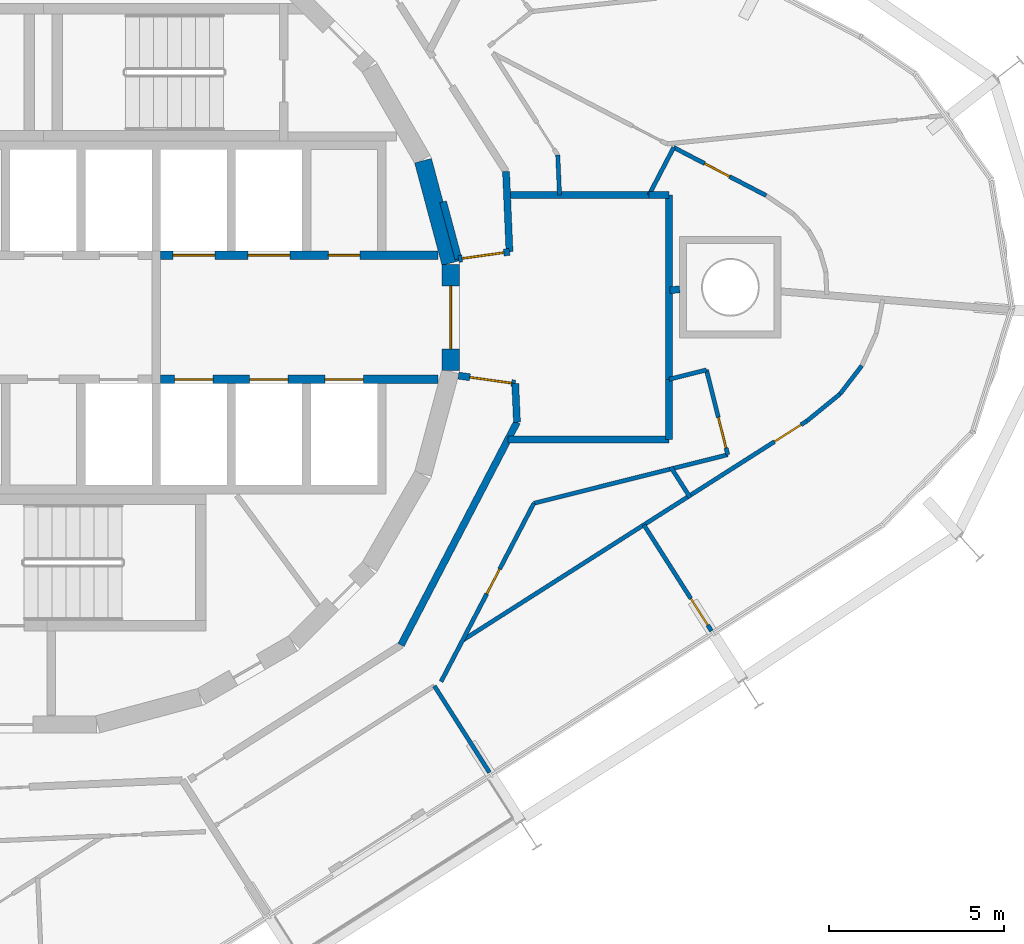
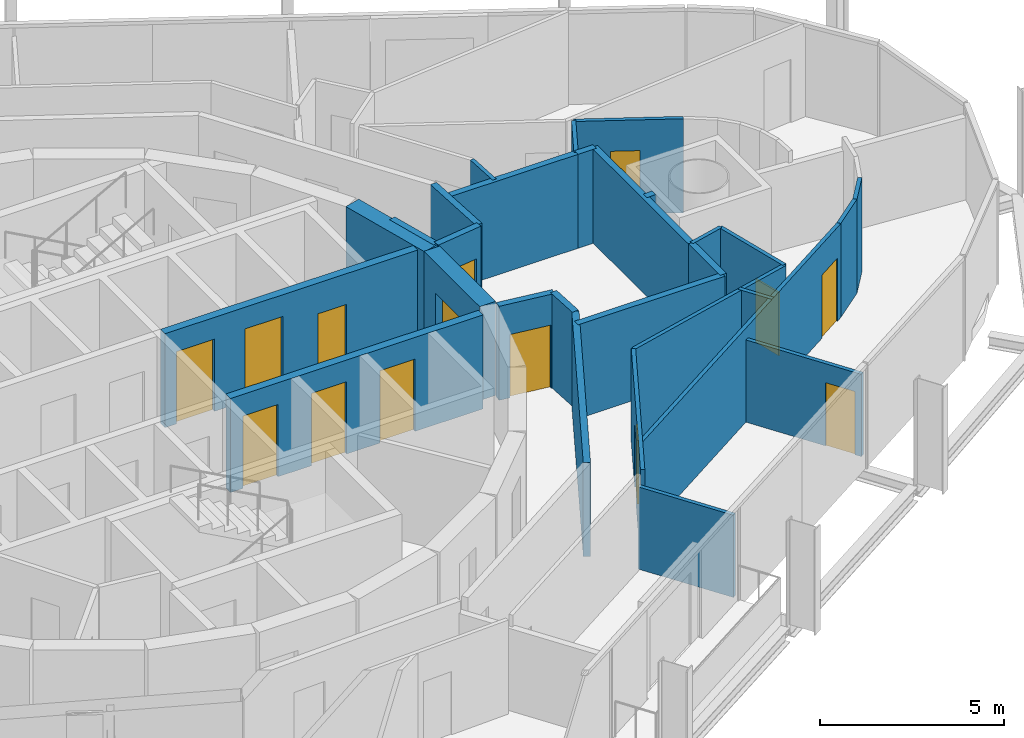
# One storey, part 14 of 18: 29 walls, 14 doors, 14 openings.
"""IFC4 building model written with IfcOpenShell, lengths in metres."""

from ifc_helpers import new_model, si_unit, direction, frame, frame_2d, origin, place, context, subcontext, project, spatial, rectangle, extrude, material, layer, layer_set, type_object, element, fill, save


model = new_model("IFC4")

# Units and contexts
model_context = context("Model", 3, precision=1e-05, world=origin(), true_north=direction((0.0, 1.0)))
body_context = subcontext(model_context, "Body", "Model", "MODEL_VIEW")
ifc_project = project(units=[si_unit("LENGTHUNIT", "METRE"), si_unit("AREAUNIT", "SQUARE_METRE"), si_unit("VOLUMEUNIT", "CUBIC_METRE"), si_unit("PLANEANGLEUNIT", "RADIAN"), si_unit("MASSUNIT", "GRAM", prefix="KILO")], contexts=[model_context])

# Site, building, storey
site_placement = place(None, origin())
site = spatial("IfcSite", under=ifc_project, at=site_placement, CompositionType="ELEMENT")
building_placement = place(site_placement, origin())
building = spatial("IfcBuilding", under=site, at=building_placement, Name="Spindle Arch Residences", CompositionType="ELEMENT")
storey_placement = place(building_placement, frame((0.0, 0.0, 251.199951171875)))
storey = spatial("IfcBuildingStorey", under=building, at=storey_placement, Name="L64", CompositionType="ELEMENT", Elevation=251.199951171875)

# Wall, opening, door
ifc_material_1 = material(Name="Concrete C50/60", Category="concrete")
ifc_layer_1 = layer(ifc_material_1, 0.5)
ifc_layer_set_1 = layer_set([ifc_layer_1], Name="Core outline wall 500")
wall_type_1 = type_object("IfcWallType", Name="Core outline wall 500", PredefinedType="SHEAR", material=ifc_layer_set_1)
wall_1_placement = place(storey_placement, frame((11.647216796875, -1.516357421875, 0.0), z_axis=(0.0, 0.0, 1.0), x_axis=(0.0, 1.0, 0.0)))
wall_1 = element("IfcWall", 1, at=wall_1_placement, inside=storey, type_object=wall_type_1, Name="Core outline wall 6", PredefinedType="SHEAR", context=body_context, shape_type="SweptSolid", body=[
    extrude(rectangle(XDim=3.03271484375, YDim=0.5, at=frame_2d((1.516357421875, 0.0))), origin(), (0.0, 0.0, 1.0), 3.1201171875),
])
opening_1_placement = place(wall_1_placement, frame((0.6162109375, 0.0, 0.0)))
opening_1 = element("IfcOpeningElement", 2, at=opening_1_placement, cuts=wall_1, Name="Opening R6C1-FE01", PredefinedType="OPENING", context=body_context, shape_type="SweptSolid", body=[
    extrude(rectangle(XDim=1.800048828125, YDim=2.10009765625, at=frame_2d((0.89990234375, 1.050048828125))), frame((0.0, 0.260009765625, 0.0), z_axis=(0.0, -1.0, 0.0), x_axis=(1.0, 0.0, 0.0)), (0.0, 0.0, 1.0), 0.52001953125),
])
ifc_material_2 = material(Name="Steel, fire-resisting door", Category="steel")
door_type_1 = type_object("IfcDoorType", Name="Fire-lift lobby door 1800x2100", OperationType="DOUBLE_DOOR_SINGLE_SWING", PredefinedType="DOOR", material=ifc_material_2)
door_1_placement = place(opening_1_placement, origin())
door_1 = element("IfcDoor", 3, at=door_1_placement, inside=storey, type_object=door_type_1, Name="Fire-lift lobby door R6C1-FE01", OperationType="DOUBLE_DOOR_SINGLE_SWING", OverallHeight=2.10009765625, OverallWidth=1.800048828125, PredefinedType="DOOR", context=body_context, shape_type="SweptSolid", body=[
    extrude(rectangle(XDim=1.800048828125, YDim=2.10009765625, at=frame_2d((0.89990234375, 1.050048828125))), frame((0.0, 0.02490234375, 0.0), z_axis=(0.0, -1.0, 0.0), x_axis=(1.0, 0.0, 0.0)), (0.0, 0.0, 1.0), 0.050048828125),
])
fill(opening_1, door_1)

# Walls
wall_2_placement = place(storey_placement, frame((11.642822265625, 1.5498046875, 0.0), z_axis=(0.0, 0.0, 1.0), x_axis=(-0.258734743916, 0.965948410781, 0.0)))
element("IfcWall", 4, at=wall_2_placement, inside=storey, type_object=wall_type_1, Name="Core outline wall 7", PredefinedType="SHEAR", context=body_context, shape_type="SweptSolid", body=[
    extrude(rectangle(XDim=3.03271484375, YDim=0.5, at=frame_2d((1.516357421875, 0.0))), origin(), (0.0, 0.0, 1.0), 3.1201171875),
])
ifc_material_3 = material(Name="Calcium silicate block, plastered")
ifc_layer_2 = layer(ifc_material_3, 0.199951171875)
ifc_layer_set_2 = layer_set([ifc_layer_2], Name="Fire-lift lobby bay wall 200")
wall_type_2 = type_object("IfcWallType", Name="Fire-lift lobby bay wall 200", PredefinedType="STANDARD", material=ifc_layer_set_2)
wall_3_placement = place(storey_placement, frame((11.8701171875, 1.668212890625, 0.0), z_axis=(0.0, 0.0, 1.0), x_axis=(-0.258836880648, 0.965921047093, 0.0)))
element("IfcWall", 5, at=wall_3_placement, inside=storey, type_object=wall_type_2, Name="Fire-lift lobby bay wall R6C1-W001", PredefinedType="STANDARD", context=body_context, shape_type="SweptSolid", body=[
    extrude(rectangle(XDim=1.695068359375, YDim=0.199951171875, at=frame_2d((0.84765625, 0.0))), origin(), (0.0, 0.0, 1.0), 3.1201171875),
])

# Wall, opening, door
wall_4_placement = place(storey_placement, frame((11.8701171875, 1.668212890625, 0.0), z_axis=(0.0, 0.0, 1.0), x_axis=(0.990267985606, 0.139173692496, 0.0)))
wall_4 = element("IfcWall", 6, at=wall_4_placement, inside=storey, type_object=wall_type_2, Name="Fire-lift lobby bay wall R6C1-W002", PredefinedType="STANDARD", context=body_context, shape_type="SweptSolid", body=[
    extrude(rectangle(XDim=1.475341796875, YDim=0.199951171875, at=frame_2d((0.73779296875, 0.0))), origin(), (0.0, 0.0, 1.0), 3.1201171875),
])
opening_2_placement = place(wall_4_placement, frame((0.110107421875, 0.0, 0.0)))
opening_2 = element("IfcOpeningElement", 7, at=opening_2_placement, cuts=wall_4, Name="Opening R6C1-CD01", PredefinedType="OPENING", context=body_context, shape_type="SweptSolid", body=[
    extrude(rectangle(XDim=1.199951171875, YDim=2.10009765625, at=frame_2d((0.60009765625, 1.050048828125))), frame((0.0, 0.10986328125, 0.0), z_axis=(0.0, -1.0, 0.0), x_axis=(1.0, 0.0, 0.0)), (0.0, 0.0, 1.0), 0.219970703125),
])
ifc_material_4 = material(Name="Steel, fire-resisting door", Category="steel")
door_type_2 = type_object("IfcDoorType", Name="Corridor division door 1200x2100", OperationType="NOTDEFINED", PredefinedType="DOOR", material=ifc_material_4)
door_2_placement = place(opening_2_placement, origin())
door_2 = element("IfcDoor", 8, at=door_2_placement, inside=storey, type_object=door_type_2, Name="Corridor division door R6C1-CD01", OperationType="DOUBLE_DOOR_SINGLE_SWING", OverallHeight=2.10009765625, OverallWidth=1.199951171875, PredefinedType="DOOR", context=body_context, shape_type="SweptSolid", body=[
    extrude(rectangle(XDim=1.199951171875, YDim=2.10009765625, at=frame_2d((0.60009765625, 1.050048828125))), frame((0.0, 0.02490234375, 0.0), z_axis=(0.0, -1.0, 0.0), x_axis=(1.0, 0.0, 0.0)), (0.0, 0.0, 1.0), 0.050048828125),
])
fill(opening_2, door_2)

# Walls
wall_5_placement = place(storey_placement, frame((13.3310546875, 1.87353515625, 0.0), z_axis=(0.0, 0.0, 1.0), x_axis=(-0.043621457762, 0.999048131184, 0.0)))
element("IfcWall", 9, at=wall_5_placement, inside=storey, type_object=wall_type_2, Name="Fire-lift lobby bay wall R6C1-W003", PredefinedType="STANDARD", context=body_context, shape_type="SweptSolid", body=[
    extrude(rectangle(XDim=2.30029296875, YDim=0.199951171875, at=frame_2d((1.150146484375, 0.0))), origin(), (0.0, 0.0, 1.0), 3.1201171875),
])
wall_6_placement = place(storey_placement, frame((10.22802734375, -9.372314453125, 0.0), z_axis=(0.0, 0.0, 1.0), x_axis=(0.461759464021, 0.887005184532, 0.0)))
element("IfcWall", 10, at=wall_6_placement, inside=storey, type_object=wall_type_2, Name="Fire-lift lobby bay wall R6C1-W013", PredefinedType="STANDARD", context=body_context, shape_type="SweptSolid", body=[
    extrude(rectangle(XDim=7.18115234375, YDim=0.199951171875, at=frame_2d((3.590576171875, 0.0))), origin(), (0.0, 0.0, 1.0), 3.1201171875),
])
wall_7_placement = place(storey_placement, frame((13.5439453125, -3.002685546875, 0.0), z_axis=(0.0, 0.0, 1.0), x_axis=(-0.043666917606, 0.999046145234, 0.0)))
element("IfcWall", 11, at=wall_7_placement, inside=storey, type_object=wall_type_2, Name="Fire-lift lobby bay wall R6C1-W014", PredefinedType="STANDARD", context=body_context, shape_type="SweptSolid", body=[
    extrude(rectangle(XDim=1.10693359375, YDim=0.199951171875, at=frame_2d((0.553466796875, 0.0))), origin(), (0.0, 0.0, 1.0), 3.1201171875),
])

# Wall, opening, door
wall_8_placement = place(storey_placement, frame((13.49560546875, -1.896728515625, 0.0), z_axis=(0.0, 0.0, 1.0), x_axis=(-0.99026234641, 0.139213811391, 0.0)))
wall_8 = element("IfcWall", 12, at=wall_8_placement, inside=storey, type_object=wall_type_2, Name="Fire-lift lobby bay wall R6C1-W015", PredefinedType="STANDARD", context=body_context, shape_type="SweptSolid", body=[
    extrude(rectangle(XDim=1.641357421875, YDim=0.199951171875, at=frame_2d((0.82080078125, 0.0))), origin(), (0.0, 0.0, 1.0), 3.1201171875),
])
opening_3_placement = place(wall_8_placement, frame((0.110107421875, 0.0, 0.0)))
opening_3 = element("IfcOpeningElement", 13, at=opening_3_placement, cuts=wall_8, Name="Opening R6C1-CD02", PredefinedType="OPENING", context=body_context, shape_type="SweptSolid", body=[
    extrude(rectangle(XDim=1.199951171875, YDim=2.10009765625, at=frame_2d((0.60009765625, 1.050048828125))), frame((0.0, 0.10986328125, 0.0), z_axis=(0.0, -1.0, 0.0), x_axis=(1.0, 0.0, 0.0)), (0.0, 0.0, 1.0), 0.219970703125),
])
door_3_placement = place(opening_3_placement, origin())
door_3 = element("IfcDoor", 14, at=door_3_placement, inside=storey, type_object=door_type_2, Name="Corridor division door R6C1-CD02", OperationType="DOUBLE_DOOR_SINGLE_SWING", OverallHeight=2.10009765625, OverallWidth=1.199951171875, PredefinedType="DOOR", context=body_context, shape_type="SweptSolid", body=[
    extrude(rectangle(XDim=1.199951171875, YDim=2.10009765625, at=frame_2d((0.60009765625, 1.050048828125))), frame((0.0, 0.02490234375, 0.0), z_axis=(0.0, -1.0, 0.0), x_axis=(1.0, 0.0, 0.0)), (0.0, 0.0, 1.0), 0.050048828125),
])
fill(opening_3, door_3)

# Walls
wall_9_placement = place(storey_placement, frame((17.32080078125, 3.5, 0.0), z_axis=(0.0, 0.0, 1.0), x_axis=(-1.0, 0.0, 0.0)))
element("IfcWall", 15, at=wall_9_placement, inside=storey, type_object=wall_type_2, Name="Fire-lift lobby bay wall R6C1-W024", PredefinedType="STANDARD", context=body_context, shape_type="SweptSolid", body=[
    extrude(rectangle(XDim=4.060791015625, YDim=0.199951171875, at=frame_2d((2.0302734375, 0.0))), origin(), (0.0, 0.0, 1.0), 3.1201171875),
])
wall_10_placement = place(storey_placement, frame((17.89990234375, -1.77197265625, 0.0), z_axis=(0.0, 0.0, 1.0), x_axis=(0.0, 1.0, 0.0)))
element("IfcWall", 16, at=wall_10_placement, inside=storey, type_object=wall_type_2, Name="Fire-lift lobby bay wall R6C1-W025", PredefinedType="STANDARD", context=body_context, shape_type="SweptSolid", body=[
    extrude(rectangle(XDim=5.27197265625, YDim=0.199951171875, at=frame_2d((2.635986328125, 0.0))), origin(), (0.0, 0.0, 1.0), 3.1201171875),
])
wall_11_placement = place(storey_placement, frame((17.89990234375, 3.5, 0.0), z_axis=(0.0, 0.0, 1.0), x_axis=(-1.0, 0.0, 0.0)))
element("IfcWall", 17, at=wall_11_placement, inside=storey, type_object=wall_type_2, Name="Fire-lift lobby bay wall R6C1-W026", PredefinedType="STANDARD", context=body_context, shape_type="SweptSolid", body=[
    extrude(rectangle(XDim=0.5791015625, YDim=0.199951171875, at=frame_2d((0.28955078125, 0.0))), origin(), (0.0, 0.0, 1.0), 3.1201171875),
])
wall_12_placement = place(storey_placement, frame((13.284912109375, -3.5, 0.0), z_axis=(0.0, 0.0, 1.0), x_axis=(1.0, 0.0, 0.0)))
element("IfcWall", 18, at=wall_12_placement, inside=storey, type_object=wall_type_2, Name="Fire-lift lobby bay wall R6C1-W027", PredefinedType="STANDARD", context=body_context, shape_type="SweptSolid", body=[
    extrude(rectangle(XDim=4.614990234375, YDim=0.199951171875, at=frame_2d((2.3076171875, 0.0))), origin(), (0.0, 0.0, 1.0), 3.1201171875),
])
wall_13_placement = place(storey_placement, frame((17.89990234375, -3.5, 0.0), z_axis=(0.0, 0.0, 1.0), x_axis=(0.0, 1.0, 0.0)))
element("IfcWall", 19, at=wall_13_placement, inside=storey, type_object=wall_type_2, Name="Fire-lift lobby bay wall R6C1-W028", PredefinedType="STANDARD", context=body_context, shape_type="SweptSolid", body=[
    extrude(rectangle(XDim=1.72802734375, YDim=0.199951171875, at=frame_2d((0.864013671875, 0.0))), origin(), (0.0, 0.0, 1.0), 3.1201171875),
])

# Wall, openings, doors
ifc_material_5 = material(Name="Concrete C40/50", Category="concrete")
ifc_layer_3 = layer(ifc_material_5, 0.25)
ifc_layer_set_3 = layer_set([ifc_layer_3], Name="Fire-lift lobby wall 250")
wall_type_3 = type_object("IfcWallType", Name="Fire-lift lobby wall 250", PredefinedType="SHEAR", material=ifc_layer_set_3)
wall_14_placement = place(storey_placement, frame((3.35009765625, 1.77490234375, 0.0), z_axis=(0.0, 0.0, 1.0), x_axis=(1.0, 0.0, 0.0)))
wall_14 = element("IfcWall", 20, at=wall_14_placement, inside=storey, type_object=wall_type_3, Name="Lift shaft front wall NE", PredefinedType="SHEAR", context=body_context, shape_type="SweptSolid", body=[
    extrude(rectangle(XDim=7.929931640625, YDim=0.25, at=frame_2d((3.96484375, 0.0))), origin(), (0.0, 0.0, 1.0), 3.1201171875),
])
opening_4_placement = place(wall_14_placement, frame((0.35009765625, 0.0, 0.0)))
opening_4 = element("IfcOpeningElement", 21, at=opening_4_placement, cuts=wall_14, Name="Opening R6C1-SLD01", PredefinedType="OPENING", context=body_context, shape_type="SweptSolid", body=[
    extrude(rectangle(XDim=1.199951171875, YDim=2.39990234375, at=frame_2d((0.60009765625, 1.199951171875))), frame((0.0, 0.135009765625, 0.0), z_axis=(0.0, -1.0, 0.0), x_axis=(1.0, 0.0, 0.0)), (0.0, 0.0, 1.0), 0.27001953125),
])
opening_5_placement = place(wall_14_placement, frame((2.5, 0.0, 0.0)))
opening_5 = element("IfcOpeningElement", 22, at=opening_5_placement, cuts=wall_14, Name="Opening R6C1-SLD02", PredefinedType="OPENING", context=body_context, shape_type="SweptSolid", body=[
    extrude(rectangle(XDim=1.199951171875, YDim=2.39990234375, at=frame_2d((0.60009765625, 1.199951171875))), frame((0.0, 0.135009765625, 0.0), z_axis=(0.0, -1.0, 0.0), x_axis=(1.0, 0.0, 0.0)), (0.0, 0.0, 1.0), 0.27001953125),
])
opening_6_placement = place(wall_14_placement, frame((4.800048828125, 0.0, 0.0)))
opening_6 = element("IfcOpeningElement", 23, at=opening_6_placement, cuts=wall_14, Name="Opening R6C1-WD02", PredefinedType="OPENING", context=body_context, shape_type="SweptSolid", body=[
    extrude(rectangle(XDim=0.89990234375, YDim=2.10009765625, at=frame_2d((0.449951171875, 1.050048828125))), frame((0.0, 0.135009765625, 0.0), z_axis=(0.0, -1.0, 0.0), x_axis=(1.0, 0.0, 0.0)), (0.0, 0.0, 1.0), 0.27001953125),
])
ifc_material_6 = material(Name="Steel, fire-resisting landing door", Category="steel")
door_type_3 = type_object("IfcDoorType", Name="Service lift landing door 1200x2400", OperationType="DOUBLE_DOOR_SLIDING", PredefinedType="DOOR", material=ifc_material_6)
door_4_placement = place(opening_4_placement, origin())
door_4 = element("IfcDoor", 24, at=door_4_placement, inside=storey, type_object=door_type_3, Name="Service lift landing door R6C1-SLD01", OperationType="DOUBLE_DOOR_SLIDING", OverallHeight=2.39990234375, OverallWidth=1.199951171875, PredefinedType="DOOR", context=body_context, shape_type="SweptSolid", body=[
    extrude(rectangle(XDim=1.199951171875, YDim=2.39990234375, at=frame_2d((0.60009765625, 1.199951171875))), frame((0.0, 0.02490234375, 0.0), z_axis=(0.0, -1.0, 0.0), x_axis=(1.0, 0.0, 0.0)), (0.0, 0.0, 1.0), 0.050048828125),
])
fill(opening_4, door_4)
door_5_placement = place(opening_5_placement, origin())
door_5 = element("IfcDoor", 25, at=door_5_placement, inside=storey, type_object=door_type_3, Name="Service lift landing door R6C1-SLD02", OperationType="DOUBLE_DOOR_SLIDING", OverallHeight=2.39990234375, OverallWidth=1.199951171875, PredefinedType="DOOR", context=body_context, shape_type="SweptSolid", body=[
    extrude(rectangle(XDim=1.199951171875, YDim=2.39990234375, at=frame_2d((0.60009765625, 1.199951171875))), frame((0.0, 0.02490234375, 0.0), z_axis=(0.0, -1.0, 0.0), x_axis=(1.0, 0.0, 0.0)), (0.0, 0.0, 1.0), 0.050048828125),
])
fill(opening_5, door_5)
ifc_material_7 = material(Name="Steel, fire-resisting door", Category="steel")
door_type_4 = type_object("IfcDoorType", Name="Service room door 900x2100", OperationType="SINGLE_SWING_LEFT", PredefinedType="DOOR", material=ifc_material_7)
door_6_placement = place(opening_6_placement, origin())
door_6 = element("IfcDoor", 26, at=door_6_placement, inside=storey, type_object=door_type_4, Name="Service room door R6C1-WD02", OperationType="SINGLE_SWING_RIGHT", OverallHeight=2.10009765625, OverallWidth=0.89990234375, PredefinedType="DOOR", context=body_context, shape_type="SweptSolid", body=[
    extrude(rectangle(XDim=0.89990234375, YDim=2.10009765625, at=frame_2d((0.449951171875, 1.050048828125))), frame((0.0, 0.02490234375, 0.0), z_axis=(0.0, -1.0, 0.0), x_axis=(1.0, 0.0, 0.0)), (0.0, 0.0, 1.0), 0.050048828125),
])
fill(opening_6, door_6)

ifc_material_8 = material(Name="Concrete C50/60", Category="concrete")
ifc_layer_4 = layer(ifc_material_8, 0.25)
ifc_layer_set_4 = layer_set([ifc_layer_4], Name="Fire-lift shaft wall 250")
wall_type_4 = type_object("IfcWallType", Name="Fire-lift shaft wall 250", PredefinedType="SHEAR", material=ifc_layer_set_4)
wall_15_placement = place(storey_placement, frame((3.35009765625, -1.77490234375, 0.0), z_axis=(0.0, 0.0, 1.0), x_axis=(1.0, 0.0, 0.0)))
wall_15 = element("IfcWall", 27, at=wall_15_placement, inside=storey, type_object=wall_type_4, Name="Lift shaft front wall SE", PredefinedType="SHEAR", context=body_context, shape_type="SweptSolid", body=[
    extrude(rectangle(XDim=7.929931640625, YDim=0.25, at=frame_2d((3.96484375, 0.0))), origin(), (0.0, 0.0, 1.0), 3.1201171875),
])
opening_7_placement = place(wall_15_placement, frame((0.39990234375, 0.0, 0.0)))
opening_7 = element("IfcOpeningElement", 28, at=opening_7_placement, cuts=wall_15, Name="Opening R6C1-FLD01", PredefinedType="OPENING", context=body_context, shape_type="SweptSolid", body=[
    extrude(rectangle(XDim=1.10009765625, YDim=2.39990234375, at=frame_2d((0.550048828125, 1.199951171875))), frame((0.0, 0.135009765625, 0.0), z_axis=(0.0, -1.0, 0.0), x_axis=(1.0, 0.0, 0.0)), (0.0, 0.0, 1.0), 0.27001953125),
])
opening_8_placement = place(wall_15_placement, frame((2.550048828125, 0.0, 0.0)))
opening_8 = element("IfcOpeningElement", 29, at=opening_8_placement, cuts=wall_15, Name="Opening R6C1-FLD02", PredefinedType="OPENING", context=body_context, shape_type="SweptSolid", body=[
    extrude(rectangle(XDim=1.10009765625, YDim=2.39990234375, at=frame_2d((0.550048828125, 1.199951171875))), frame((0.0, 0.135009765625, 0.0), z_axis=(0.0, -1.0, 0.0), x_axis=(1.0, 0.0, 0.0)), (0.0, 0.0, 1.0), 0.27001953125),
])
opening_9_placement = place(wall_15_placement, frame((4.699951171875, 0.0, 0.0)))
opening_9 = element("IfcOpeningElement", 30, at=opening_9_placement, cuts=wall_15, Name="Opening R6C1-FLD03", PredefinedType="OPENING", context=body_context, shape_type="SweptSolid", body=[
    extrude(rectangle(XDim=1.10009765625, YDim=2.39990234375, at=frame_2d((0.550048828125, 1.199951171875))), frame((0.0, 0.135009765625, 0.0), z_axis=(0.0, -1.0, 0.0), x_axis=(1.0, 0.0, 0.0)), (0.0, 0.0, 1.0), 0.27001953125),
])
ifc_material_9 = material(Name="Steel, fire-resisting landing door", Category="steel")
door_type_5 = type_object("IfcDoorType", Name="Fire-fighting lift landing door 1100x2400", OperationType="DOUBLE_DOOR_SLIDING", PredefinedType="DOOR", material=ifc_material_9)
door_7_placement = place(opening_7_placement, origin())
door_7 = element("IfcDoor", 31, at=door_7_placement, inside=storey, type_object=door_type_5, Name="Fire-fighting lift landing door R6C1-FLD01", OperationType="DOUBLE_DOOR_SLIDING", OverallHeight=2.39990234375, OverallWidth=1.10009765625, PredefinedType="DOOR", context=body_context, shape_type="SweptSolid", body=[
    extrude(rectangle(XDim=1.10009765625, YDim=2.39990234375, at=frame_2d((0.550048828125, 1.199951171875))), frame((0.0, 0.02490234375, 0.0), z_axis=(0.0, -1.0, 0.0), x_axis=(1.0, 0.0, 0.0)), (0.0, 0.0, 1.0), 0.050048828125),
])
fill(opening_7, door_7)
door_8_placement = place(opening_8_placement, origin())
door_8 = element("IfcDoor", 32, at=door_8_placement, inside=storey, type_object=door_type_5, Name="Fire-fighting lift landing door R6C1-FLD02", OperationType="DOUBLE_DOOR_SLIDING", OverallHeight=2.39990234375, OverallWidth=1.10009765625, PredefinedType="DOOR", context=body_context, shape_type="SweptSolid", body=[
    extrude(rectangle(XDim=1.10009765625, YDim=2.39990234375, at=frame_2d((0.550048828125, 1.199951171875))), frame((0.0, 0.02490234375, 0.0), z_axis=(0.0, -1.0, 0.0), x_axis=(1.0, 0.0, 0.0)), (0.0, 0.0, 1.0), 0.050048828125),
])
fill(opening_8, door_8)
door_9_placement = place(opening_9_placement, origin())
door_9 = element("IfcDoor", 33, at=door_9_placement, inside=storey, type_object=door_type_5, Name="Fire-fighting lift landing door R6C1-FLD03", OperationType="DOUBLE_DOOR_SLIDING", OverallHeight=2.39990234375, OverallWidth=1.10009765625, PredefinedType="DOOR", context=body_context, shape_type="SweptSolid", body=[
    extrude(rectangle(XDim=1.10009765625, YDim=2.39990234375, at=frame_2d((0.550048828125, 1.199951171875))), frame((0.0, 0.02490234375, 0.0), z_axis=(0.0, -1.0, 0.0), x_axis=(1.0, 0.0, 0.0)), (0.0, 0.0, 1.0), 0.050048828125),
])
fill(opening_9, door_9)

# Wall
ifc_material_10 = material(Name="Plasterboard on steel studs", Category="steel")
ifc_layer_5 = layer(ifc_material_10, 0.1201171875)
ifc_layer_set_5 = layer_set([ifc_layer_5], Name="Flat partition 120")
wall_type_5 = type_object("IfcWallType", Name="Flat partition 120", PredefinedType="PARTITIONING", material=ifc_layer_set_5)
wall_16_placement = place(storey_placement, frame((14.761474609375, 3.5, 0.0), z_axis=(0.0, 0.0, 1.0), x_axis=(-0.04369750018, 0.999044808043, 0.0)))
element("IfcWall", 34, at=wall_16_placement, inside=storey, type_object=wall_type_5, Name="Flat partition R6C1-W041", PredefinedType="PARTITIONING", context=body_context, shape_type="SweptSolid", body=[
    extrude(rectangle(XDim=1.1396484375, YDim=0.1201171875, at=frame_2d((0.56982421875, 0.0))), origin(), (0.0, 0.0, 1.0), 3.1201171875),
])

# Wall, opening, door
wall_17_placement = place(storey_placement, frame((18.028076171875, 4.85888671875, 0.0), z_axis=(0.0, 0.0, 1.0), x_axis=(0.88702512027, -0.46172116695, 0.0)))
wall_17 = element("IfcWall", 35, at=wall_17_placement, inside=storey, type_object=wall_type_5, Name="Flat partition R6C1-W046", PredefinedType="PARTITIONING", context=body_context, shape_type="SweptSolid", body=[
    extrude(rectangle(XDim=2.983154296875, YDim=0.1201171875, at=frame_2d((1.49169921875, 0.0))), origin(), (0.0, 0.0, 1.0), 3.1201171875),
])
opening_10_placement = place(wall_17_placement, frame((1.0, 0.0, 0.0)))
opening_10 = element("IfcOpeningElement", 36, at=opening_10_placement, cuts=wall_17, Name="Opening R6C1-BD01", PredefinedType="OPENING", context=body_context, shape_type="SweptSolid", body=[
    extrude(rectangle(XDim=0.800048828125, YDim=2.10009765625, at=frame_2d((0.39990234375, 1.050048828125))), frame((0.0, 0.070068359375, 0.0), z_axis=(0.0, -1.0, 0.0), x_axis=(1.0, 0.0, 0.0)), (0.0, 0.0, 1.0), 0.14013671875),
])
ifc_material_11 = material(Name="Timber door set", Category="wood")
door_type_6 = type_object("IfcDoorType", Name="Bathroom door 800x2100", OperationType="NOTDEFINED", PredefinedType="DOOR", material=ifc_material_11)
door_10_placement = place(opening_10_placement, origin())
door_10 = element("IfcDoor", 37, at=door_10_placement, inside=storey, type_object=door_type_6, Name="Bathroom door R6C1-BD01", OperationType="SINGLE_SWING_RIGHT", OverallHeight=2.10009765625, OverallWidth=0.800048828125, PredefinedType="DOOR", context=body_context, shape_type="SweptSolid", body=[
    extrude(rectangle(XDim=0.800048828125, YDim=2.10009765625, at=frame_2d((0.39990234375, 1.050048828125))), frame((0.0, 0.02490234375, 0.0), z_axis=(0.0, -1.0, 0.0), x_axis=(1.0, 0.0, 0.0)), (0.0, 0.0, 1.0), 0.050048828125),
])
fill(opening_10, door_10)

# Wall
wall_18_placement = place(storey_placement, frame((18.028076171875, 4.85888671875, 0.0), z_axis=(0.0, 0.0, 1.0), x_axis=(-0.461688901614, -0.887041914526, 0.0)))
element("IfcWall", 38, at=wall_18_placement, inside=storey, type_object=wall_type_5, Name="Flat partition R6C1-W053", PredefinedType="PARTITIONING", context=body_context, shape_type="SweptSolid", body=[
    extrude(rectangle(XDim=1.531982421875, YDim=0.1201171875, at=frame_2d((0.76611328125, 0.0))), origin(), (0.0, 0.0, 1.0), 3.1201171875),
])

# Wall, opening, door
wall_19_placement = place(storey_placement, frame((11.373046875, -10.42138671875, 0.0), z_axis=(0.0, 0.0, 1.0), x_axis=(0.461738939635, 0.887015868869, 0.0)))
wall_19 = element("IfcWall", 39, at=wall_19_placement, inside=storey, type_object=wall_type_5, Name="Flat partition R6C1-W108", PredefinedType="PARTITIONING", context=body_context, shape_type="SweptSolid", body=[
    extrude(rectangle(XDim=5.751708984375, YDim=0.1201171875, at=frame_2d((2.8759765625, 0.0))), origin(), (0.0, 0.0, 1.0), 3.1201171875),
])
opening_11_placement = place(wall_19_placement, frame((2.831298828125, 0.0, 0.0)))
opening_11 = element("IfcOpeningElement", 40, at=opening_11_placement, cuts=wall_19, Name="Opening R6C1-BD06", PredefinedType="OPENING", context=body_context, shape_type="SweptSolid", body=[
    extrude(rectangle(XDim=0.800048828125, YDim=2.10009765625, at=frame_2d((0.39990234375, 1.050048828125))), frame((0.0, 0.070068359375, 0.0), z_axis=(0.0, -1.0, 0.0), x_axis=(1.0, 0.0, 0.0)), (0.0, 0.0, 1.0), 0.14013671875),
])
door_11_placement = place(opening_11_placement, origin())
door_11 = element("IfcDoor", 41, at=door_11_placement, inside=storey, type_object=door_type_6, Name="Bathroom door R6C1-BD06", OperationType="SINGLE_SWING_RIGHT", OverallHeight=2.10009765625, OverallWidth=0.800048828125, PredefinedType="DOOR", context=body_context, shape_type="SweptSolid", body=[
    extrude(rectangle(XDim=0.800048828125, YDim=2.10009765625, at=frame_2d((0.39990234375, 1.050048828125))), frame((0.0, 0.02490234375, 0.0), z_axis=(0.0, -1.0, 0.0), x_axis=(1.0, 0.0, 0.0)), (0.0, 0.0, 1.0), 0.050048828125),
])
fill(opening_11, door_11)

# Wall
wall_20_placement = place(storey_placement, frame((14.02880859375, -5.319580078125, 0.0), z_axis=(0.0, 0.0, 1.0), x_axis=(0.969999099814, 0.243108507378, 0.0)))
element("IfcWall", 42, at=wall_20_placement, inside=storey, type_object=wall_type_5, Name="Flat partition R6C1-W109", PredefinedType="PARTITIONING", context=body_context, shape_type="SweptSolid", body=[
    extrude(rectangle(XDim=5.715087890625, YDim=0.1201171875, at=frame_2d((2.857421875, 0.0))), origin(), (0.0, 0.0, 1.0), 3.1201171875),
])

# Wall, opening, door
wall_21_placement = place(storey_placement, frame((19.572509765625, -3.93017578125, 0.0), z_axis=(0.0, 0.0, 1.0), x_axis=(-0.243155959183, 0.96998720585, 0.0)))
wall_21 = element("IfcWall", 43, at=wall_21_placement, inside=storey, type_object=wall_type_5, Name="Flat partition R6C1-W110", PredefinedType="PARTITIONING", context=body_context, shape_type="SweptSolid", body=[
    extrude(rectangle(XDim=2.5, YDim=0.1201171875, at=frame_2d((1.25, 0.0))), origin(), (0.0, 0.0, 1.0), 3.1201171875),
])
opening_12_placement = place(wall_21_placement, frame((0.199951171875, 0.0, 0.0)))
opening_12 = element("IfcOpeningElement", 44, at=opening_12_placement, cuts=wall_21, Name="Opening R6C1-ID26", PredefinedType="OPENING", context=body_context, shape_type="SweptSolid", body=[
    extrude(rectangle(XDim=0.89990234375, YDim=2.10009765625, at=frame_2d((0.449951171875, 1.050048828125))), frame((0.0, 0.070068359375, 0.0), z_axis=(0.0, -1.0, 0.0), x_axis=(1.0, 0.0, 0.0)), (0.0, 0.0, 1.0), 0.14013671875),
])
ifc_material_12 = material(Name="Timber door set", Category="wood")
door_type_7 = type_object("IfcDoorType", Name="Room door 900x2100", OperationType="NOTDEFINED", PredefinedType="DOOR", material=ifc_material_12)
door_12_placement = place(opening_12_placement, origin())
door_12 = element("IfcDoor", 45, at=door_12_placement, inside=storey, type_object=door_type_7, Name="Room door R6C1-ID26", OperationType="SINGLE_SWING_RIGHT", OverallHeight=2.10009765625, OverallWidth=0.89990234375, PredefinedType="DOOR", context=body_context, shape_type="SweptSolid", body=[
    extrude(rectangle(XDim=0.89990234375, YDim=2.10009765625, at=frame_2d((0.449951171875, 1.050048828125))), frame((0.0, 0.02490234375, 0.0), z_axis=(0.0, -1.0, 0.0), x_axis=(1.0, 0.0, 0.0)), (0.0, 0.0, 1.0), 0.050048828125),
])
fill(opening_12, door_12)

# Wall
wall_22_placement = place(storey_placement, frame((18.964599609375, -1.505126953125, 0.0), z_axis=(0.0, 0.0, 1.0), x_axis=(-0.969998406835, -0.243111272339, 0.0)))
element("IfcWall", 46, at=wall_22_placement, inside=storey, type_object=wall_type_5, Name="Flat partition R6C1-W111", PredefinedType="PARTITIONING", context=body_context, shape_type="SweptSolid", body=[
    extrude(rectangle(XDim=1.09765625, YDim=0.1201171875, at=frame_2d((0.548828125, 0.0))), origin(), (0.0, 0.0, 1.0), 3.1201171875),
])

# Wall, opening, door
wall_23_placement = place(storey_placement, frame((21.837158203125, -2.9658203125, 0.0), z_axis=(0.0, 0.0, 1.0), x_axis=(-0.843394529709, -0.537294767569, 0.0)))
wall_23 = element("IfcWall", 47, at=wall_23_placement, inside=storey, type_object=wall_type_5, Name="Flat partition R6C1-W113", PredefinedType="PARTITIONING", context=body_context, shape_type="SweptSolid", body=[
    extrude(rectangle(XDim=11.67822265625, YDim=0.1201171875, at=frame_2d((5.839111328125, 0.0))), origin(), (0.0, 0.0, 1.0), 3.1201171875),
])
opening_13_placement = place(wall_23_placement, frame((0.199951171875, 0.0, 0.0)))
opening_13 = element("IfcOpeningElement", 48, at=opening_13_placement, cuts=wall_23, Name="Opening R6C1-ID27", PredefinedType="OPENING", context=body_context, shape_type="SweptSolid", body=[
    extrude(rectangle(XDim=0.89990234375, YDim=2.10009765625, at=frame_2d((0.449951171875, 1.050048828125))), frame((0.0, 0.070068359375, 0.0), z_axis=(0.0, -1.0, 0.0), x_axis=(1.0, 0.0, 0.0)), (0.0, 0.0, 1.0), 0.14013671875),
])
door_13_placement = place(opening_13_placement, origin())
door_13 = element("IfcDoor", 49, at=door_13_placement, inside=storey, type_object=door_type_7, Name="Room door R6C1-ID27", OperationType="SINGLE_SWING_RIGHT", OverallHeight=2.10009765625, OverallWidth=0.89990234375, PredefinedType="DOOR", context=body_context, shape_type="SweptSolid", body=[
    extrude(rectangle(XDim=0.89990234375, YDim=2.10009765625, at=frame_2d((0.449951171875, 1.050048828125))), frame((0.0, 0.02490234375, 0.0), z_axis=(0.0, -1.0, 0.0), x_axis=(1.0, 0.0, 0.0)), (0.0, 0.0, 1.0), 0.050048828125),
])
fill(opening_13, door_13)

# Walls
wall_24_placement = place(storey_placement, frame((18.5029296875, -5.160888671875, 0.0), z_axis=(0.0, 0.0, 1.0), x_axis=(-0.537208231854, 0.843449652101, 0.0)))
element("IfcWall", 50, at=wall_24_placement, inside=storey, type_object=wall_type_5, Name="Flat partition R6C1-W115", PredefinedType="PARTITIONING", context=body_context, shape_type="SweptSolid", body=[
    extrude(rectangle(XDim=1.04443359375, YDim=0.1201171875, at=frame_2d((0.522216796875, 0.0))), origin(), (0.0, 0.0, 1.0), 3.1201171875),
])
wall_25_placement = place(storey_placement, frame((23.406982421875, -1.384765625, 0.0), z_axis=(0.0, 0.0, 1.0), x_axis=(-0.608769538934, -0.793347117261, 0.0)))
element("IfcWall", 51, at=wall_25_placement, inside=storey, type_object=wall_type_5, Name="Flat partition R6C1-W118", PredefinedType="PARTITIONING", context=body_context, shape_type="SweptSolid", body=[
    extrude(rectangle(XDim=1.015869140625, YDim=0.1201171875, at=frame_2d((0.5078125, 0.0))), origin(), (0.0, 0.0, 1.0), 3.1201171875),
])
wall_26_placement = place(storey_placement, frame((22.78857421875, -2.190673828125, 0.0), z_axis=(0.0, 0.0, 1.0), x_axis=(-0.775267457727, -0.631633096813, 0.0)))
element("IfcWall", 52, at=wall_26_placement, inside=storey, type_object=wall_type_5, Name="Flat partition R6C1-W119", PredefinedType="PARTITIONING", context=body_context, shape_type="SweptSolid", body=[
    extrude(rectangle(XDim=1.227294921875, YDim=0.1201171875, at=frame_2d((0.61376953125, 0.0))), origin(), (0.0, 0.0, 1.0), 3.1201171875),
])
ifc_material_13 = material(Name="Plasterboard on steel studs", Category="steel")
ifc_layer_6 = layer(ifc_material_13, 0.1201171875)
ifc_layer_set_6 = layer_set([ifc_layer_6], Name="Flat partition 120 under beam 2730")
wall_type_6 = type_object("IfcWallType", Name="Flat partition 120 under beam 2730", PredefinedType="PARTITIONING", material=ifc_layer_set_6)
wall_27_placement = place(storey_placement, frame((12.7578125, -13.018310546875, 0.0), z_axis=(0.0, 0.0, 1.0), x_axis=(-0.537338423153, 0.843366716798, 0.0)))
element("IfcWall", 53, at=wall_27_placement, inside=storey, type_object=wall_type_6, Name="Flat partition R6C1-W112", PredefinedType="PARTITIONING", context=body_context, shape_type="SweptSolid", body=[
    extrude(rectangle(XDim=2.93408203125, YDim=0.1201171875, at=frame_2d((1.467041015625, 0.0))), origin(), (0.0, 0.0, 1.0), 2.72998046875),
])

# Wall, opening, door
wall_28_placement = place(storey_placement, frame((19.108642578125, -8.972412109375, 0.0), z_axis=(0.0, 0.0, 1.0), x_axis=(-0.537318625891, 0.843379329999, 0.0)))
wall_28 = element("IfcWall", 54, at=wall_28_placement, inside=storey, type_object=wall_type_6, Name="Flat partition R6C1-W114", PredefinedType="PARTITIONING", context=body_context, shape_type="SweptSolid", body=[
    extrude(rectangle(XDim=3.599853515625, YDim=0.1201171875, at=frame_2d((1.7998046875, 0.0))), origin(), (0.0, 0.0, 1.0), 2.72998046875),
])
opening_14_placement = place(wall_28_placement, frame((0.199951171875, 0.0, 0.0)))
opening_14 = element("IfcOpeningElement", 55, at=opening_14_placement, cuts=wall_28, Name="Opening R6C1-ID28", PredefinedType="OPENING", context=body_context, shape_type="SweptSolid", body=[
    extrude(rectangle(XDim=0.89990234375, YDim=2.10009765625, at=frame_2d((0.449951171875, 1.050048828125))), frame((0.0, 0.070068359375, 0.0), z_axis=(0.0, -1.0, 0.0), x_axis=(1.0, 0.0, 0.0)), (0.0, 0.0, 1.0), 0.14013671875),
])
door_14_placement = place(opening_14_placement, origin())
door_14 = element("IfcDoor", 56, at=door_14_placement, inside=storey, type_object=door_type_7, Name="Room door R6C1-ID28", OperationType="SINGLE_SWING_LEFT", OverallHeight=2.10009765625, OverallWidth=0.89990234375, PredefinedType="DOOR", context=body_context, shape_type="SweptSolid", body=[
    extrude(rectangle(XDim=0.89990234375, YDim=2.10009765625, at=frame_2d((0.449951171875, 1.050048828125))), frame((0.0, 0.02490234375, 0.0), z_axis=(0.0, -1.0, 0.0), x_axis=(1.0, 0.0, 0.0)), (0.0, 0.0, 1.0), 0.050048828125),
])
fill(opening_14, door_14)

# Wall
ifc_material_14 = material(Name="Calcium silicate block, plastered")
ifc_layer_7 = layer(ifc_material_14, 0.199951171875)
ifc_layer_set_7 = layer_set([ifc_layer_7], Name="Flat party wall 200")
wall_type_7 = type_object("IfcWallType", Name="Flat party wall 200", PredefinedType="STANDARD", material=ifc_layer_set_7)
wall_29_placement = place(storey_placement, frame((17.919921875, 0.782470703125, 0.0), z_axis=(0.0, 0.0, 1.0), x_axis=(0.999051221661, 0.04355061995, 0.0)))
element("IfcWall", 57, at=wall_29_placement, inside=storey, type_object=wall_type_7, Name="Flat party wall R6C1-W031", PredefinedType="STANDARD", context=body_context, shape_type="SweptSolid", body=[
    extrude(rectangle(XDim=0.2802734375, YDim=0.199951171875, at=frame_2d((0.14013671875, 0.0))), origin(), (0.0, 0.0, 1.0), 3.1201171875),
])

save(model, "model.ifc")
